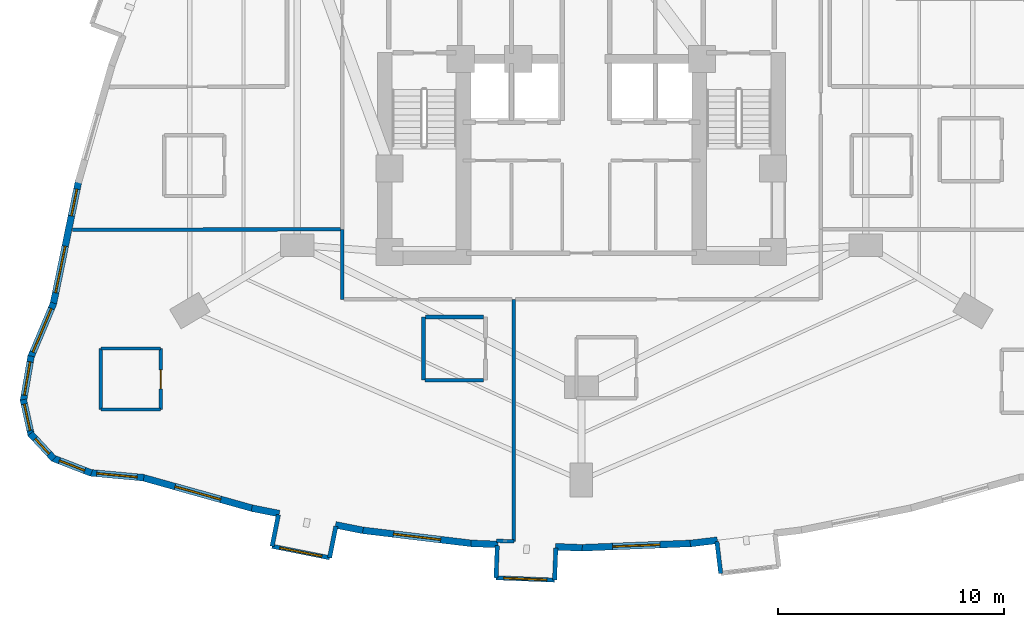
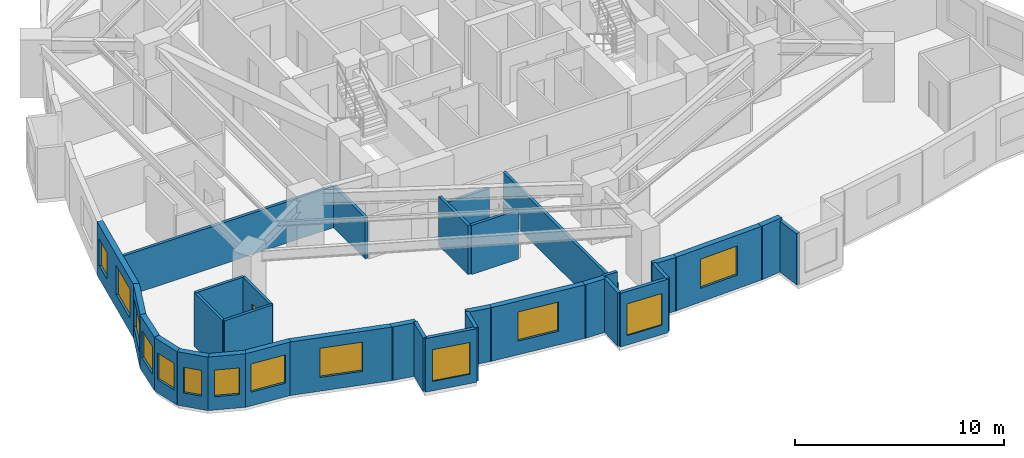
# One storey, part 6 of 13: 33 walls, 13 windows, 1 door, 14 openings.
"""IFC4 building model written with IfcOpenShell, lengths in metres."""

import ifcopenshell
import ifcopenshell.guid

model = None  # the IFC model being written
_history = None  # IfcOwnerHistory: only IFC2X3 demands one
_inside = {}  # id of a spatial element -> (the spatial element, [elements in it])
_under = {}  # id of a project, library or spatial element -> (it, [spatial elements below it])
_declared = {}  # id of a project -> (the project, [libraries it declares])
_typed = {}  # id of a type object -> (the type object, [elements of that type])
_made_of = {}  # id of a material, layer set ... -> (it, [elements and type objects made of it])


def new_model(schema):
    """Start an empty IFC model of exactly this schema.

    Asked for "IFC4X3", IfcOpenShell would pick the latest addendum, in which some entities
    have other attributes; the version numbers below select the first issue.
    IFC2X3 requires an IfcOwnerHistory on every rooted entity: one is made here for all.
    """
    global model, _history
    if schema == "IFC4X3":
        model = ifcopenshell.file(schema_version=(4, 3, 0, 0))
    else:
        model = ifcopenshell.file(schema=schema)
    _inside.clear()
    _under.clear()
    _declared.clear()
    _typed.clear()
    _made_of.clear()
    _history = None
    if model.schema == "IFC2X3":
        org = make("IfcOrganization", Name="unknown")
        user = make(
            "IfcPersonAndOrganization",
            ThePerson=make("IfcPerson", FamilyName="unknown"),
            TheOrganization=org,
        )
        app = make(
            "IfcApplication",
            ApplicationDeveloper=org,
            Version="unknown",
            ApplicationFullName="unknown",
            ApplicationIdentifier="unknown",
        )
        _history = make(
            "IfcOwnerHistory",
            OwningUser=user,
            OwningApplication=app,
            ChangeAction="ADDED",
            CreationDate=0,
        )
    return model


def make(cls, **values):
    """One entity of the class cls with the attributes given. An attribute that is None is left unset."""
    return model.create_entity(
        cls, **{name: value for name, value in values.items() if value is not None}
    )


def rooted(cls, **values):
    """An entity with a GlobalId (a new one), such as an element, a storey or a relation."""
    return make(cls, GlobalId=ifcopenshell.guid.new(), OwnerHistory=_history, **values)


def si_unit(unit_type, name, prefix=None):
    """IfcSIUnit, for example si_unit("LENGTHUNIT", "METRE", prefix="MILLI")."""
    return make("IfcSIUnit", UnitType=unit_type, Prefix=prefix, Name=name)


def assignment(units):
    """IfcUnitAssignment: the units of a project."""
    return None if units is None else make("IfcUnitAssignment", Units=units)


def point(xyz):
    """IfcCartesianPoint."""
    return None if xyz is None else make("IfcCartesianPoint", Coordinates=xyz)


def direction(xyz):
    """IfcDirection."""
    return None if xyz is None else make("IfcDirection", DirectionRatios=xyz)


def frame(location, z_axis=None, x_axis=None):
    """IfcAxis2Placement3D, a coordinate frame: its origin and axes. An axis left out is left unset."""
    return make(
        "IfcAxis2Placement3D",
        Location=point(location),
        Axis=direction(z_axis),
        RefDirection=direction(x_axis),
    )


def frame_2d(location, x_axis=None):
    """IfcAxis2Placement2D, a coordinate frame in the plane: its origin and x axis."""
    return make(
        "IfcAxis2Placement2D", Location=point(location), RefDirection=direction(x_axis)
    )


def origin():
    """The frame at (0, 0, 0) with its axes left unset."""
    return frame((0.0, 0.0, 0.0))


def place(relative_to, where):
    """IfcLocalPlacement: puts the frame where relative to a parent placement (None: the world)."""
    return make(
        "IfcLocalPlacement", PlacementRelTo=relative_to, RelativePlacement=where
    )


def context(
    kind, dimensions, precision=None, world=None, true_north=None, identifier=None
):
    """IfcGeometricRepresentationContext, for example the 3D "Model" context."""
    return make(
        "IfcGeometricRepresentationContext",
        ContextIdentifier=identifier,
        ContextType=kind,
        CoordinateSpaceDimension=dimensions,
        Precision=precision,
        WorldCoordinateSystem=world,
        TrueNorth=true_north,
    )


def subcontext(parent, identifier, kind, view, scale=None):
    """IfcGeometricRepresentationSubContext, for example "Body" below "Model"."""
    return make(
        "IfcGeometricRepresentationSubContext",
        ContextIdentifier=identifier,
        ContextType=kind,
        ParentContext=parent,
        TargetScale=scale,
        TargetView=view,
    )


def project(units=None, contexts=None):
    """IfcProject with its units and contexts."""
    return rooted(
        "IfcProject",
        Name="project",
        RepresentationContexts=contexts,
        UnitsInContext=assignment(units),
    )


def spatial(cls, under=None, at=None, **own):
    """A site, building, storey or space (cls), placed at a placement, below another one or the project."""
    s = rooted(cls, ObjectPlacement=at, **own)
    if under is not None:
        _under.setdefault(under.id(), (under, []))[1].append(s)
    return s


def profile(cls, at=None, kind="AREA", **sizes):
    """A parametric profile (cls). Its sizes go by their IFC names, for example OverallWidth=200.0."""
    return make(cls, ProfileType=kind, Position=at, **sizes)


def rectangle(**sizes):
    """IfcRectangleProfileDef."""
    return profile("IfcRectangleProfileDef", **sizes)


def extrude(swept, where, along, depth):
    """IfcExtrudedAreaSolid: the profile swept, set in the frame where, extruded along a direction by depth."""
    return make(
        "IfcExtrudedAreaSolid",
        SweptArea=swept,
        Position=where,
        ExtrudedDirection=direction(along),
        Depth=depth,
    )


def shape(context_of_items, identifier, shape_type, items):
    """IfcShapeRepresentation: the items that make up one representation, for example the "Body"."""
    return make(
        "IfcShapeRepresentation",
        ContextOfItems=context_of_items,
        RepresentationIdentifier=identifier,
        RepresentationType=shape_type,
        Items=items,
    )


def material(Name=None, Category=None):
    """IfcMaterial."""
    return make("IfcMaterial", Name=Name, Category=Category)


def layer(
    of_material, thickness, ventilated=None, Name=None, Category=None, Priority=None
):
    """IfcMaterialLayer: one layer of a wall or slab, of a material (None: an air gap)."""
    return make(
        "IfcMaterialLayer",
        Material=of_material,
        LayerThickness=thickness,
        IsVentilated=ventilated,
        Name=Name,
        Category=Category,
        Priority=Priority,
    )


def layer_set(layers, Name=None):
    """IfcMaterialLayerSet."""
    return make("IfcMaterialLayerSet", MaterialLayers=layers, LayerSetName=Name)


def made_of(thing, what):
    """Note that an element or type object is made of a material, layer set ...; save() writes the relation."""
    if what is not None:
        _made_of.setdefault(what.id(), (what, []))[1].append(thing)
    return thing


def type_object(cls, material=None, **own):
    """A type object (cls), such as IfcWallType, which elements share."""
    return made_of(rooted(cls, **own), material)


def element(
    cls,
    number,
    at=None,
    inside=None,
    cuts=None,
    type_object=None,
    material=None,
    context=None,
    identifier="Body",
    shape_type=None,
    held_by="IfcProductDefinitionShape",
    body=None,
    shapes=None,
    **own,
):
    """One element of the class cls, such as IfcWall. Its Tag is "e" and its number.

    at: its placement. inside: the storey or other place that contains it. cuts: it is an
    opening in that element (IfcRelVoidsElement). A single representation is given by context,
    identifier, shape_type and body (its items); several are given by shapes. held_by: the class
    of the entity that holds the representations. save() writes the other relations.
    """
    e = rooted(cls, Tag="e%d" % number, ObjectPlacement=at, **own)
    if body is not None:
        shapes = [shape(context, identifier, shape_type, body)]
    if shapes is not None:
        e.Representation = make(held_by, Representations=shapes)
    if inside is not None:
        _inside.setdefault(inside.id(), (inside, []))[1].append(e)
    if cuts is not None:
        rooted(
            "IfcRelVoidsElement", RelatingBuildingElement=cuts, RelatedOpeningElement=e
        )
    if type_object is not None:
        _typed.setdefault(type_object.id(), (type_object, []))[1].append(e)
    return made_of(e, material)


def fill(opening, filler):
    """IfcRelFillsElement: the door or window that sits in an opening."""
    return rooted(
        "IfcRelFillsElement",
        RelatingOpeningElement=opening,
        RelatedBuildingElement=filler,
    )


def aggregate(whole, parts):
    """IfcRelAggregates: a whole, such as a stair, and the parts it consists of."""
    return rooted("IfcRelAggregates", RelatingObject=whole, RelatedObjects=parts)


def save(model, path):
    """Write the relations noted so far, then the file.

    IfcRelAggregates (storeys below a building ...), IfcRelContainedInSpatialStructure (elements
    in a storey), IfcRelDefinesByType, IfcRelAssociatesMaterial and IfcRelDeclares: one each for
    every whole, place, type object, material and project.
    """
    for whole, parts in _under.values():
        aggregate(whole, parts)
    for where, things in _inside.values():
        rooted(
            "IfcRelContainedInSpatialStructure",
            RelatedElements=things,
            RelatingStructure=where,
        )
    for kind, things in _typed.values():
        rooted("IfcRelDefinesByType", RelatedObjects=things, RelatingType=kind)
    for what, things in _made_of.values():
        rooted("IfcRelAssociatesMaterial", RelatedObjects=things, RelatingMaterial=what)
    for by, libraries in _declared.values():
        rooted("IfcRelDeclares", RelatingContext=by, RelatedDefinitions=libraries)
    model.write(path)


model = new_model("IFC4")

# Units and contexts
model_context = context("Model", 3, precision=1e-05, world=origin(), true_north=direction((0.0, 1.0)))
body_context = subcontext(model_context, "Body", "Model", "MODEL_VIEW")
ifc_project = project(units=[si_unit("LENGTHUNIT", "METRE"), si_unit("AREAUNIT", "SQUARE_METRE"), si_unit("VOLUMEUNIT", "CUBIC_METRE"), si_unit("PLANEANGLEUNIT", "RADIAN"), si_unit("MASSUNIT", "GRAM", prefix="KILO")], contexts=[model_context])

# Site, building, storey
site_placement = place(None, origin())
site = spatial("IfcSite", under=ifc_project, at=site_placement, CompositionType="ELEMENT")
building_placement = place(site_placement, origin())
building = spatial("IfcBuilding", under=site, at=building_placement, Name="Miruveldt Soraemaru", CompositionType="ELEMENT")
storey_placement = place(building_placement, frame((0.0, 0.0, 49.60009765625)))
storey = spatial("IfcBuildingStorey", under=building, at=storey_placement, Name="L13", CompositionType="ELEMENT", Elevation=49.60009765625)

# Walls
ifc_material_1 = material(Name="White powder-coated aluminium EN AW-6060 T6", Category="aluminium")
ifc_layer_1 = layer(ifc_material_1, 0.18994140625, Name="White powder-coated aluminium EN AW-6060 T6", Category="aluminium")
ifc_layer_set_1 = layer_set([ifc_layer_1], Name="White powder-coated aluminium EN AW-6060 T6")
wall_type_1 = type_object("IfcWallType", Name="WALL-BAY-ALU190", PredefinedType="SOLIDWALL", material=ifc_layer_set_1)
wall_1_placement = place(storey_placement, frame((30.56689453125, 23.84814453125, 0.0), z_axis=(0.0, 0.0, 1.0), x_axis=(-0.196149079112, -0.980574086321, 0.0)))
element("IfcWall", 1, at=wall_1_placement, inside=storey, type_object=wall_type_1, Name="L13 Bay Window Side Cheek 2L", PredefinedType="SOLIDWALL", context=body_context, shape_type="SweptSolid", body=[
    extrude(rectangle(XDim=1.425048828125, YDim=0.18994140625, at=frame_2d((0.71240234375, 0.0))), origin(), (0.0, 0.0, 1.0), 3.125),
])
wall_2_placement = place(storey_placement, frame((32.8369140625, 21.94091796875, 0.0), z_axis=(0.0, 0.0, 1.0), x_axis=(0.196182033934, 0.980567493629, 0.0)))
element("IfcWall", 2, at=wall_2_placement, inside=storey, type_object=wall_type_1, Name="L13 Bay Window Side Cheek 2R", PredefinedType="SOLIDWALL", context=body_context, shape_type="SweptSolid", body=[
    extrude(rectangle(XDim=1.4248046875, YDim=0.18994140625, at=frame_2d((0.71240234375, 0.0))), origin(), (0.0, 0.0, 1.0), 3.125),
])

# Wall, opening, window
wall_3_placement = place(storey_placement, frame((30.287353515625, 22.45068359375, 0.0), z_axis=(0.0, 0.0, 1.0), x_axis=(0.980591508741, -0.196061962104, 0.0)))
wall_3 = element("IfcWall", 3, at=wall_3_placement, inside=storey, type_object=wall_type_1, Name="L13 Bay Window Front Frame 2", PredefinedType="SOLIDWALL", context=body_context, shape_type="SweptSolid", body=[
    extrude(rectangle(XDim=2.60009765625, YDim=0.18994140625, at=frame_2d((1.300048828125, 0.0))), origin(), (0.0, 0.0, 1.0), 3.125),
])
opening_1_placement = place(wall_3_placement, frame((0.35009765625, 0.0, 0.550048828125)))
opening_1 = element("IfcOpeningElement", 4, at=opening_1_placement, cuts=wall_3, Name="Opening WN-6", PredefinedType="OPENING", context=body_context, shape_type="SweptSolid", body=[
    extrude(rectangle(XDim=1.89990234375, YDim=1.85009765625, at=frame_2d((0.949951171875, 0.925048828125))), frame((0.0, 0.10498046875, 0.0), z_axis=(0.0, -1.0, 0.0), x_axis=(1.0, 0.0, 0.0)), (0.0, 0.0, 1.0), 0.2099609375),
])
ifc_material_2 = material(Name="Triple low-e insulated glazing", Category="glass")
window_type_1 = type_object("IfcWindowType", Name="WIN-BAYW-1900x1850", PartitioningType="SINGLE_PANEL", PredefinedType="WINDOW", material=ifc_material_2)
window_1_placement = place(opening_1_placement, origin())
window_1 = element("IfcWindow", 5, at=window_1_placement, inside=storey, type_object=window_type_1, Name="L13 Projecting Bay Window 2", OverallHeight=1.85009765625, OverallWidth=1.89990234375, PartitioningType="SINGLE_PANEL", PredefinedType="WINDOW", context=body_context, shape_type="SweptSolid", body=[
    extrude(rectangle(XDim=1.89990234375, YDim=1.85009765625, at=frame_2d((0.949951171875, 0.925048828125))), frame((0.0, 0.030029296875, 0.0), z_axis=(0.0, -1.0, 0.0), x_axis=(1.0, 0.0, 0.0)), (0.0, 0.0, 1.0), 0.06005859375),
])
fill(opening_1, window_1)

# Walls
for number, where, z_axis, x_axis, name in (
    (6, (40.269287109375, 22.477783203125, 0.0), (0.0, 0.0, 1.0), (-0.039926977512, -0.99920260031, 0.0), "L13 Bay Window Side Cheek 3L"),
    (7, (42.810302734375, 20.9501953125, 0.0), (0.0, 0.0, 1.0), (0.039926977512, 0.99920260031, 0.0), "L13 Bay Window Side Cheek 3R"),
):
    element("IfcWall", number, at=place(storey_placement, frame(where, z_axis=z_axis, x_axis=x_axis)), inside=storey, type_object=wall_type_1, Name=name, PredefinedType="SOLIDWALL", context=body_context, shape_type="SweptSolid", body=[
        extrude(rectangle(XDim=1.4248046875, YDim=0.18994140625, at=frame_2d((0.71240234375, 0.0))), origin(), (0.0, 0.0, 1.0), 3.125),
    ])

# Wall, opening, window
wall_4_placement = place(storey_placement, frame((40.21240234375, 21.05419921875, 0.0), z_axis=(0.0, 0.0, 1.0), x_axis=(0.999199608139, -0.040001788654, 0.0)))
wall_4 = element("IfcWall", 8, at=wall_4_placement, inside=storey, type_object=wall_type_1, Name="L13 Bay Window Front Frame 3", PredefinedType="SOLIDWALL", context=body_context, shape_type="SweptSolid", body=[
    extrude(rectangle(XDim=2.60009765625, YDim=0.18994140625, at=frame_2d((1.300048828125, 0.0))), origin(), (0.0, 0.0, 1.0), 3.125),
])
opening_2_placement = place(wall_4_placement, frame((0.35009765625, 0.0, 0.550048828125)))
opening_2 = element("IfcOpeningElement", 9, at=opening_2_placement, cuts=wall_4, Name="Opening WN-6", PredefinedType="OPENING", context=body_context, shape_type="SweptSolid", body=[
    extrude(rectangle(XDim=1.89990234375, YDim=1.85009765625, at=frame_2d((0.949951171875, 0.925048828125))), frame((0.0, 0.10498046875, 0.0), z_axis=(0.0, -1.0, 0.0), x_axis=(1.0, 0.0, 0.0)), (0.0, 0.0, 1.0), 0.2099609375),
])
window_2_placement = place(opening_2_placement, origin())
window_2 = element("IfcWindow", 10, at=window_2_placement, inside=storey, type_object=window_type_1, Name="L13 Projecting Bay Window 3", OverallHeight=1.85009765625, OverallWidth=1.89990234375, PartitioningType="SINGLE_PANEL", PredefinedType="WINDOW", context=body_context, shape_type="SweptSolid", body=[
    extrude(rectangle(XDim=1.89990234375, YDim=1.85009765625, at=frame_2d((0.949951171875, 0.925048828125))), frame((0.0, 0.030029296875, 0.0), z_axis=(0.0, -1.0, 0.0), x_axis=(1.0, 0.0, 0.0)), (0.0, 0.0, 1.0), 0.06005859375),
])
fill(opening_2, window_2)

# Wall
wall_5_placement = place(storey_placement, frame((50.00439453125, 22.66015625, 0.0), z_axis=(0.0, 0.0, 1.0), x_axis=(0.119077659317, -0.992884943511, 0.0)))
element("IfcWall", 11, at=wall_5_placement, inside=storey, type_object=wall_type_1, Name="L13 Bay Window Side Cheek 4L", PredefinedType="SOLIDWALL", context=body_context, shape_type="SweptSolid", body=[
    extrude(rectangle(XDim=1.425048828125, YDim=0.18994140625, at=frame_2d((0.71240234375, 0.0))), origin(), (0.0, 0.0, 1.0), 2.974853515625),
])

# Wall, openings, windows
ifc_material_3 = material(Name="Precast concrete C45/55 (45 MPa)", Category="concrete")
ifc_layer_2 = layer(ifc_material_3, 0.300048828125, Name="Precast concrete C45/55 (45 MPa)", Category="concrete")
ifc_layer_set_2 = layer_set([ifc_layer_2], Name="Precast concrete C45/55 (45 MPa)")
wall_type_2 = type_object("IfcWallType", Name="WALL-EXT-PC300", PredefinedType="SOLIDWALL", material=ifc_layer_set_2)
wall_6_placement = place(storey_placement, frame((21.70751953125, 38.628662109375, 0.0), z_axis=(0.0, 0.0, 1.0), x_axis=(-0.20157756221, -0.979472555212, 0.0)))
wall_6 = element("IfcWall", 12, at=wall_6_placement, inside=storey, type_object=wall_type_2, Name="L13 Precast Concrete Facade Wall 14", PredefinedType="SOLIDWALL", context=body_context, shape_type="SweptSolid", body=[
    extrude(rectangle(XDim=5.576171875, YDim=0.300048828125, at=frame_2d((2.7880859375, 0.0))), origin(), (0.0, 0.0, 1.0), 3.125),
])
opening_3_placement = place(wall_6_placement, frame((0.35888671875, 0.0, 0.780029296875)))
opening_3 = element("IfcOpeningElement", 13, at=opening_3_placement, cuts=wall_6, Name="Opening WN-4", PredefinedType="OPENING", context=body_context, shape_type="SweptSolid", body=[
    extrude(rectangle(XDim=1.199951171875, YDim=1.550048828125, at=frame_2d((0.60009765625, 0.77490234375))), frame((0.0, 0.16015625, 0.0), z_axis=(0.0, -1.0, 0.0), x_axis=(1.0, 0.0, 0.0)), (0.0, 0.0, 1.0), 0.320068359375),
])
opening_4_placement = place(wall_6_placement, frame((2.93603515625, 0.0, 0.800048828125)))
opening_4 = element("IfcOpeningElement", 14, at=opening_4_placement, cuts=wall_6, Name="Opening WN-1", PredefinedType="OPENING", context=body_context, shape_type="SweptSolid", body=[
    extrude(rectangle(XDim=2.10009765625, YDim=1.699951171875, at=frame_2d((1.050048828125, 0.85009765625))), frame((0.0, 0.16015625, 0.0), z_axis=(0.0, -1.0, 0.0), x_axis=(1.0, 0.0, 0.0)), (0.0, 0.0, 1.0), 0.320068359375),
])
window_type_2 = type_object("IfcWindowType", Name="WIN-PUNCH-1200x1550", PartitioningType="SINGLE_PANEL", PredefinedType="WINDOW", material=ifc_material_2)
window_3_placement = place(opening_3_placement, origin())
window_3 = element("IfcWindow", 15, at=window_3_placement, inside=storey, type_object=window_type_2, Name="L13 Punched Triple-Glazed Window 14.1", OverallHeight=1.550048828125, OverallWidth=1.199951171875, PartitioningType="SINGLE_PANEL", PredefinedType="WINDOW", context=body_context, shape_type="SweptSolid", body=[
    extrude(rectangle(XDim=1.199951171875, YDim=1.550048828125, at=frame_2d((0.60009765625, 0.77490234375))), frame((0.0, 0.030029296875, 0.0), z_axis=(0.0, -1.0, 0.0), x_axis=(1.0, 0.0, 0.0)), (0.0, 0.0, 1.0), 0.06005859375),
])
fill(opening_3, window_3)
window_type_3 = type_object("IfcWindowType", Name="WIN-PUNCH-2100x1700", PartitioningType="SINGLE_PANEL", PredefinedType="WINDOW", material=ifc_material_2)
window_4_placement = place(opening_4_placement, origin())
window_4 = element("IfcWindow", 16, at=window_4_placement, inside=storey, type_object=window_type_3, Name="L13 Punched Triple-Glazed Window 14.2", OverallHeight=1.699951171875, OverallWidth=2.10009765625, PartitioningType="SINGLE_PANEL", PredefinedType="WINDOW", context=body_context, shape_type="SweptSolid", body=[
    extrude(rectangle(XDim=2.10009765625, YDim=1.699951171875, at=frame_2d((1.050048828125, 0.85009765625))), frame((0.0, 0.030029296875, 0.0), z_axis=(0.0, -1.0, 0.0), x_axis=(1.0, 0.0, 0.0)), (0.0, 0.0, 1.0), 0.06005859375),
])
fill(opening_4, window_4)

# Wall, opening, window
wall_7_placement = place(storey_placement, frame((20.604248046875, 33.2333984375, 0.0), z_axis=(0.0, 0.0, 1.0), x_axis=(-0.388605550907, -0.921404214123, 0.0)))
wall_7 = element("IfcWall", 17, at=wall_7_placement, inside=storey, type_object=wall_type_2, Name="L13 Precast Concrete Facade Wall 15", PredefinedType="SOLIDWALL", context=body_context, shape_type="SweptSolid", body=[
    extrude(rectangle(XDim=2.6259765625, YDim=0.300048828125, at=frame_2d((1.31298828125, 0.0))), origin(), (0.0, 0.0, 1.0), 3.125),
])
opening_5_placement = place(wall_7_placement, frame((0.262939453125, 0.0, 0.800048828125)))
opening_5 = element("IfcOpeningElement", 18, at=opening_5_placement, cuts=wall_7, Name="Opening WN-1", PredefinedType="OPENING", context=body_context, shape_type="SweptSolid", body=[
    extrude(rectangle(XDim=2.10009765625, YDim=1.699951171875, at=frame_2d((1.050048828125, 0.85009765625))), frame((0.0, 0.16015625, 0.0), z_axis=(0.0, -1.0, 0.0), x_axis=(1.0, 0.0, 0.0)), (0.0, 0.0, 1.0), 0.320068359375),
])
window_5_placement = place(opening_5_placement, origin())
window_5 = element("IfcWindow", 19, at=window_5_placement, inside=storey, type_object=window_type_3, Name="L13 Punched Triple-Glazed Window 15.1", OverallHeight=1.699951171875, OverallWidth=2.10009765625, PartitioningType="SINGLE_PANEL", PredefinedType="WINDOW", context=body_context, shape_type="SweptSolid", body=[
    extrude(rectangle(XDim=2.10009765625, YDim=1.699951171875, at=frame_2d((1.050048828125, 0.85009765625))), frame((0.0, 0.030029296875, 0.0), z_axis=(0.0, -1.0, 0.0), x_axis=(1.0, 0.0, 0.0)), (0.0, 0.0, 1.0), 0.06005859375),
])
fill(opening_5, window_5)

wall_8_placement = place(storey_placement, frame((19.603271484375, 30.880615234375, 0.0), z_axis=(0.0, 0.0, 1.0), x_axis=(-0.169361944639, -0.985553921259, 0.0)))
wall_8 = element("IfcWall", 20, at=wall_8_placement, inside=storey, type_object=wall_type_2, Name="L13 Precast Concrete Facade Wall 16", PredefinedType="SOLIDWALL", context=body_context, shape_type="SweptSolid", body=[
    extrude(rectangle(XDim=2.025390625, YDim=0.300048828125, at=frame_2d((1.0126953125, 0.0))), origin(), (0.0, 0.0, 1.0), 3.125),
])
opening_6_placement = place(wall_8_placement, frame((0.261962890625, 0.0, 0.800048828125)))
opening_6 = element("IfcOpeningElement", 21, at=opening_6_placement, cuts=wall_8, Name="Opening WN-3", PredefinedType="OPENING", context=body_context, shape_type="SweptSolid", body=[
    extrude(rectangle(XDim=1.5, YDim=1.60009765625, at=frame_2d((0.75, 0.800048828125))), frame((0.0, 0.16015625, 0.0), z_axis=(0.0, -1.0, 0.0), x_axis=(1.0, 0.0, 0.0)), (0.0, 0.0, 1.0), 0.320068359375),
])
window_type_4 = type_object("IfcWindowType", Name="WIN-PUNCH-1500x1600", PartitioningType="SINGLE_PANEL", PredefinedType="WINDOW", material=ifc_material_2)
window_6_placement = place(opening_6_placement, origin())
window_6 = element("IfcWindow", 22, at=window_6_placement, inside=storey, type_object=window_type_4, Name="L13 Punched Triple-Glazed Window 16.1", OverallHeight=1.60009765625, OverallWidth=1.5, PartitioningType="SINGLE_PANEL", PredefinedType="WINDOW", context=body_context, shape_type="SweptSolid", body=[
    extrude(rectangle(XDim=1.5, YDim=1.60009765625, at=frame_2d((0.75, 0.800048828125))), frame((0.0, 0.030029296875, 0.0), z_axis=(0.0, -1.0, 0.0), x_axis=(1.0, 0.0, 0.0)), (0.0, 0.0, 1.0), 0.06005859375),
])
fill(opening_6, window_6)

wall_9_placement = place(storey_placement, frame((19.258544921875, 28.953369140625, 0.0), z_axis=(0.0, 0.0, 1.0), x_axis=(0.215851203475, -0.976426268573, 0.0)))
wall_9 = element("IfcWall", 23, at=wall_9_placement, inside=storey, type_object=wall_type_2, Name="L13 Precast Concrete Facade Wall 17", PredefinedType="SOLIDWALL", context=body_context, shape_type="SweptSolid", body=[
    extrude(rectangle(XDim=1.60498046875, YDim=0.300048828125, at=frame_2d((0.802490234375, 0.0))), origin(), (0.0, 0.0, 1.0), 3.125),
])
opening_7_placement = place(wall_9_placement, frame((0.202880859375, 0.0, 0.780029296875)))
opening_7 = element("IfcOpeningElement", 24, at=opening_7_placement, cuts=wall_9, Name="Opening WN-4", PredefinedType="OPENING", context=body_context, shape_type="SweptSolid", body=[
    extrude(rectangle(XDim=1.199951171875, YDim=1.550048828125, at=frame_2d((0.60009765625, 0.77490234375))), frame((0.0, 0.16015625, 0.0), z_axis=(0.0, -1.0, 0.0), x_axis=(1.0, 0.0, 0.0)), (0.0, 0.0, 1.0), 0.320068359375),
])
window_7_placement = place(opening_7_placement, origin())
window_7 = element("IfcWindow", 25, at=window_7_placement, inside=storey, type_object=window_type_2, Name="L13 Punched Triple-Glazed Window 17.1", OverallHeight=1.550048828125, OverallWidth=1.199951171875, PartitioningType="SINGLE_PANEL", PredefinedType="WINDOW", context=body_context, shape_type="SweptSolid", body=[
    extrude(rectangle(XDim=1.199951171875, YDim=1.550048828125, at=frame_2d((0.60009765625, 0.77490234375))), frame((0.0, 0.030029296875, 0.0), z_axis=(0.0, -1.0, 0.0), x_axis=(1.0, 0.0, 0.0)), (0.0, 0.0, 1.0), 0.06005859375),
])
fill(opening_7, window_7)

wall_10_placement = place(storey_placement, frame((19.573486328125, 27.446044921875, 0.0), z_axis=(0.0, 0.0, 1.0), x_axis=(0.680212432131, -0.733015038846, 0.0)))
wall_10 = element("IfcWall", 26, at=wall_10_placement, inside=storey, type_object=wall_type_2, Name="L13 Precast Concrete Facade Wall 18", PredefinedType="SOLIDWALL", context=body_context, shape_type="SweptSolid", body=[
    extrude(rectangle(XDim=1.530517578125, YDim=0.300048828125, at=frame_2d((0.76513671875, 0.0))), origin(), (0.0, 0.0, 1.0), 3.125),
])
opening_8_placement = place(wall_10_placement, frame((0.31494140625, 0.0, 0.780029296875)))
opening_8 = element("IfcOpeningElement", 27, at=opening_8_placement, cuts=wall_10, Name="Opening WN-7", PredefinedType="OPENING", context=body_context, shape_type="SweptSolid", body=[
    extrude(rectangle(XDim=0.89990234375, YDim=1.5, at=frame_2d((0.449951171875, 0.75))), frame((0.0, 0.16015625, 0.0), z_axis=(0.0, -1.0, 0.0), x_axis=(1.0, 0.0, 0.0)), (0.0, 0.0, 1.0), 0.320068359375),
])
window_type_5 = type_object("IfcWindowType", Name="WIN-PUNCH-900x1500", PartitioningType="SINGLE_PANEL", PredefinedType="WINDOW", material=ifc_material_2)
window_8_placement = place(opening_8_placement, origin())
window_8 = element("IfcWindow", 28, at=window_8_placement, inside=storey, type_object=window_type_5, Name="L13 Punched Triple-Glazed Window 18.1", OverallHeight=1.5, OverallWidth=0.89990234375, PartitioningType="SINGLE_PANEL", PredefinedType="WINDOW", context=body_context, shape_type="SweptSolid", body=[
    extrude(rectangle(XDim=0.89990234375, YDim=1.5, at=frame_2d((0.449951171875, 0.75))), frame((0.0, 0.030029296875, 0.0), z_axis=(0.0, -1.0, 0.0), x_axis=(1.0, 0.0, 0.0)), (0.0, 0.0, 1.0), 0.06005859375),
])
fill(opening_8, window_8)

wall_11_placement = place(storey_placement, frame((20.55810546875, 26.362548828125, 0.0), z_axis=(0.0, 0.0, 1.0), x_axis=(0.93226755556, -0.361769546603, 0.0)))
wall_11 = element("IfcWall", 29, at=wall_11_placement, inside=storey, type_object=wall_type_2, Name="L13 Precast Concrete Facade Wall 19", PredefinedType="SOLIDWALL", context=body_context, shape_type="SweptSolid", body=[
    extrude(rectangle(XDim=1.845703125, YDim=0.300048828125, at=frame_2d((0.9228515625, 0.0))), origin(), (0.0, 0.0, 1.0), 3.125),
])
opening_9_placement = place(wall_11_placement, frame((0.322998046875, 0.0, 0.780029296875)))
opening_9 = element("IfcOpeningElement", 30, at=opening_9_placement, cuts=wall_11, Name="Opening WN-4", PredefinedType="OPENING", context=body_context, shape_type="SweptSolid", body=[
    extrude(rectangle(XDim=1.199951171875, YDim=1.550048828125, at=frame_2d((0.60009765625, 0.77490234375))), frame((0.0, 0.16015625, 0.0), z_axis=(0.0, -1.0, 0.0), x_axis=(1.0, 0.0, 0.0)), (0.0, 0.0, 1.0), 0.320068359375),
])
window_9_placement = place(opening_9_placement, origin())
window_9 = element("IfcWindow", 31, at=window_9_placement, inside=storey, type_object=window_type_2, Name="L13 Punched Triple-Glazed Window 19.1", OverallHeight=1.550048828125, OverallWidth=1.199951171875, PartitioningType="SINGLE_PANEL", PredefinedType="WINDOW", context=body_context, shape_type="SweptSolid", body=[
    extrude(rectangle(XDim=1.199951171875, YDim=1.550048828125, at=frame_2d((0.60009765625, 0.77490234375))), frame((0.0, 0.030029296875, 0.0), z_axis=(0.0, -1.0, 0.0), x_axis=(1.0, 0.0, 0.0)), (0.0, 0.0, 1.0), 0.06005859375),
])
fill(opening_9, window_9)

wall_12_placement = place(storey_placement, frame((22.211181640625, 25.710693359375, 0.0), z_axis=(0.0, 0.0, 1.0), x_axis=(0.995763667414, -0.091949544092, 0.0)))
wall_12 = element("IfcWall", 32, at=wall_12_placement, inside=storey, type_object=wall_type_2, Name="L13 Precast Concrete Facade Wall 20", PredefinedType="SOLIDWALL", context=body_context, shape_type="SweptSolid", body=[
    extrude(rectangle(XDim=2.397705078125, YDim=0.300048828125, at=frame_2d((1.19873046875, 0.0))), origin(), (0.0, 0.0, 1.0), 3.125),
])
opening_10_placement = place(wall_12_placement, frame((0.299072265625, 0.0, 0.800048828125)))
opening_10 = element("IfcOpeningElement", 33, at=opening_10_placement, cuts=wall_12, Name="Opening WN-2", PredefinedType="OPENING", context=body_context, shape_type="SweptSolid", body=[
    extrude(rectangle(XDim=1.800048828125, YDim=1.64990234375, at=frame_2d((0.89990234375, 0.824951171875))), frame((0.0, 0.16015625, 0.0), z_axis=(0.0, -1.0, 0.0), x_axis=(1.0, 0.0, 0.0)), (0.0, 0.0, 1.0), 0.320068359375),
])
window_type_6 = type_object("IfcWindowType", Name="WIN-PUNCH-1800x1650", PartitioningType="SINGLE_PANEL", PredefinedType="WINDOW", material=ifc_material_2)
window_10_placement = place(opening_10_placement, origin())
window_10 = element("IfcWindow", 34, at=window_10_placement, inside=storey, type_object=window_type_6, Name="L13 Punched Triple-Glazed Window 20.1", OverallHeight=1.64990234375, OverallWidth=1.800048828125, PartitioningType="SINGLE_PANEL", PredefinedType="WINDOW", context=body_context, shape_type="SweptSolid", body=[
    extrude(rectangle(XDim=1.800048828125, YDim=1.64990234375, at=frame_2d((0.89990234375, 0.824951171875))), frame((0.0, 0.030029296875, 0.0), z_axis=(0.0, -1.0, 0.0), x_axis=(1.0, 0.0, 0.0)), (0.0, 0.0, 1.0), 0.06005859375),
])
fill(opening_10, window_10)

wall_13_placement = place(storey_placement, frame((24.530029296875, 25.5029296875, 0.0), z_axis=(0.0, 0.0, 1.0), x_axis=(0.962965506561, -0.269624615297, 0.0)))
wall_13 = element("IfcWall", 35, at=wall_13_placement, inside=storey, type_object=wall_type_2, Name="L13 Precast Concrete Facade Wall 21", PredefinedType="SOLIDWALL", context=body_context, shape_type="SweptSolid", body=[
    extrude(rectangle(XDim=5.115966796875, YDim=0.300048828125, at=frame_2d((2.55810546875, 0.0))), origin(), (0.0, 0.0, 1.0), 3.125),
])
opening_11_placement = place(wall_13_placement, frame((1.508056640625, 0.0, 0.800048828125)))
opening_11 = element("IfcOpeningElement", 36, at=opening_11_placement, cuts=wall_13, Name="Opening WN-1", PredefinedType="OPENING", context=body_context, shape_type="SweptSolid", body=[
    extrude(rectangle(XDim=2.10009765625, YDim=1.699951171875, at=frame_2d((1.050048828125, 0.85009765625))), frame((0.0, 0.16015625, 0.0), z_axis=(0.0, -1.0, 0.0), x_axis=(1.0, 0.0, 0.0)), (0.0, 0.0, 1.0), 0.320068359375),
])
window_11_placement = place(opening_11_placement, origin())
window_11 = element("IfcWindow", 37, at=window_11_placement, inside=storey, type_object=window_type_3, Name="L13 Punched Triple-Glazed Window 21.1", OverallHeight=1.699951171875, OverallWidth=2.10009765625, PartitioningType="SINGLE_PANEL", PredefinedType="WINDOW", context=body_context, shape_type="SweptSolid", body=[
    extrude(rectangle(XDim=2.10009765625, YDim=1.699951171875, at=frame_2d((1.050048828125, 0.85009765625))), frame((0.0, 0.030029296875, 0.0), z_axis=(0.0, -1.0, 0.0), x_axis=(1.0, 0.0, 0.0)), (0.0, 0.0, 1.0), 0.06005859375),
])
fill(opening_11, window_11)

# Walls
for number, where, z_axis, x_axis, name in (
    (38, (29.388671875, 24.139892578125, 0.0), (0.0, 0.0, 1.0), (0.980580675691, -0.196116135138, 0.0), "L13 Precast Pier Wall 22A"),
    (39, (33.097900390625, 23.39794921875, 0.0), (0.0, 0.0, 1.0), (0.980580675691, -0.196116135138, 0.0), "L13 Precast Pier Wall 22B"),
):
    element("IfcWall", number, at=place(storey_placement, frame(where, z_axis=z_axis, x_axis=x_axis)), inside=storey, type_object=wall_type_2, Name=name, PredefinedType="SOLIDWALL", context=body_context, shape_type="SweptSolid", body=[
        extrude(rectangle(XDim=1.242431640625, YDim=0.300048828125, at=frame_2d((0.62109375, 0.0))), origin(), (0.0, 0.0, 1.0), 3.125),
    ])

# Wall, opening, window
wall_14_placement = place(storey_placement, frame((34.2470703125, 23.165283203125, 0.0), z_axis=(0.0, 0.0, 1.0), x_axis=(0.992880096209, -0.119118069795, 0.0)))
wall_14 = element("IfcWall", 40, at=wall_14_placement, inside=storey, type_object=wall_type_2, Name="L13 Precast Concrete Facade Wall 23", PredefinedType="SOLIDWALL", context=body_context, shape_type="SweptSolid", body=[
    extrude(rectangle(XDim=4.964111328125, YDim=0.300048828125, at=frame_2d((2.48193359375, 0.0))), origin(), (0.0, 0.0, 1.0), 3.125),
])
opening_12_placement = place(wall_14_placement, frame((1.431884765625, 0.0, 0.800048828125)))
opening_12 = element("IfcOpeningElement", 41, at=opening_12_placement, cuts=wall_14, Name="Opening WN-1", PredefinedType="OPENING", context=body_context, shape_type="SweptSolid", body=[
    extrude(rectangle(XDim=2.10009765625, YDim=1.699951171875, at=frame_2d((1.050048828125, 0.85009765625))), frame((0.0, 0.16015625, 0.0), z_axis=(0.0, -1.0, 0.0), x_axis=(1.0, 0.0, 0.0)), (0.0, 0.0, 1.0), 0.320068359375),
])
window_12_placement = place(opening_12_placement, origin())
window_12 = element("IfcWindow", 42, at=window_12_placement, inside=storey, type_object=window_type_3, Name="L13 Punched Triple-Glazed Window 23.1", OverallHeight=1.699951171875, OverallWidth=2.10009765625, PartitioningType="SINGLE_PANEL", PredefinedType="WINDOW", context=body_context, shape_type="SweptSolid", body=[
    extrude(rectangle(XDim=2.10009765625, YDim=1.699951171875, at=frame_2d((1.050048828125, 0.85009765625))), frame((0.0, 0.030029296875, 0.0), z_axis=(0.0, -1.0, 0.0), x_axis=(1.0, 0.0, 0.0)), (0.0, 0.0, 1.0), 0.06005859375),
])
fill(opening_12, window_12)

# Walls
wall_15_placement = place(storey_placement, frame((39.10595703125, 22.57958984375, 0.0), z_axis=(0.0, 0.0, 1.0), x_axis=(0.99919998058, -0.039992484418, 0.0)))
element("IfcWall", 43, at=wall_15_placement, inside=storey, type_object=wall_type_2, Name="L13 Precast Pier Wall 24A", PredefinedType="SOLIDWALL", context=body_context, shape_type="SweptSolid", body=[
    extrude(rectangle(XDim=1.196533203125, YDim=0.300048828125, at=frame_2d((0.59814453125, 0.0))), origin(), (0.0, 0.0, 1.0), 3.125),
])
wall_16_placement = place(storey_placement, frame((42.839599609375, 22.43017578125, 0.0), z_axis=(0.0, 0.0, 1.0), x_axis=(0.999199654133, -0.040000639749, 0.0)))
element("IfcWall", 44, at=wall_16_placement, inside=storey, type_object=wall_type_2, Name="L13 Precast Pier Wall 24B", PredefinedType="SOLIDWALL", context=body_context, shape_type="SweptSolid", body=[
    extrude(rectangle(XDim=1.1962890625, YDim=0.300048828125, at=frame_2d((0.59814453125, 0.0))), origin(), (0.0, 0.0, 1.0), 3.125),
])

# Wall, opening, window
wall_17_placement = place(storey_placement, frame((43.965087890625, 22.38232421875, 0.0), z_axis=(0.0, 0.0, 1.0), x_axis=(0.999200088812, 0.039989780165, 0.0)))
wall_17 = element("IfcWall", 45, at=wall_17_placement, inside=storey, type_object=wall_type_2, Name="L13 Precast Concrete Facade Wall 25", PredefinedType="SOLIDWALL", context=body_context, shape_type="SweptSolid", body=[
    extrude(rectangle(XDim=4.932861328125, YDim=0.300048828125, at=frame_2d((2.46630859375, 0.0))), origin(), (0.0, 0.0, 1.0), 3.125),
])
opening_13_placement = place(wall_17_placement, frame((1.416015625, 0.0, 0.800048828125)))
opening_13 = element("IfcOpeningElement", 46, at=opening_13_placement, cuts=wall_17, Name="Opening WN-1", PredefinedType="OPENING", context=body_context, shape_type="SweptSolid", body=[
    extrude(rectangle(XDim=2.10009765625, YDim=1.699951171875, at=frame_2d((1.050048828125, 0.85009765625))), frame((0.0, 0.16015625, 0.0), z_axis=(0.0, -1.0, 0.0), x_axis=(1.0, 0.0, 0.0)), (0.0, 0.0, 1.0), 0.320068359375),
])
window_13_placement = place(opening_13_placement, origin())
window_13 = element("IfcWindow", 47, at=window_13_placement, inside=storey, type_object=window_type_3, Name="L13 Punched Triple-Glazed Window 25.1", OverallHeight=1.699951171875, OverallWidth=2.10009765625, PartitioningType="SINGLE_PANEL", PredefinedType="WINDOW", context=body_context, shape_type="SweptSolid", body=[
    extrude(rectangle(XDim=2.10009765625, YDim=1.699951171875, at=frame_2d((1.050048828125, 0.85009765625))), frame((0.0, 0.030029296875, 0.0), z_axis=(0.0, -1.0, 0.0), x_axis=(1.0, 0.0, 0.0)), (0.0, 0.0, 1.0), 0.06005859375),
])
fill(opening_13, window_13)

# Wall
wall_18_placement = place(storey_placement, frame((48.82421875, 22.573974609375, 0.0), z_axis=(0.0, 0.0, 1.0), x_axis=(0.992864442114, 0.119248478339, 0.0)))
element("IfcWall", 48, at=wall_18_placement, inside=storey, type_object=wall_type_2, Name="L13 Precast Pier Wall 26A", PredefinedType="SOLIDWALL", context=body_context, shape_type="SweptSolid", body=[
    extrude(rectangle(XDim=1.2119140625, YDim=0.300048828125, at=frame_2d((0.60595703125, 0.0))), origin(), (0.0, 0.0, 1.0), 3.125),
])

# Wall, opening, door
ifc_material_4 = material(Name="Gypsum plasterboard lining", Category="gypsum")
ifc_layer_3 = layer(ifc_material_4, 0.14990234375, Name="Gypsum plasterboard lining", Category="gypsum")
ifc_layer_set_3 = layer_set([ifc_layer_3], Name="Gypsum plasterboard lining")
wall_type_3 = type_object("IfcWallType", Name="WALL-INT-PLUMB", PredefinedType="PLUMBINGWALL", material=ifc_layer_set_3)
wall_19_placement = place(storey_placement, frame((25.345947265625, 28.51611328125, 0.0), z_axis=(0.0, 0.0, 1.0), x_axis=(0.0, 1.0, 0.0)))
wall_19 = element("IfcWall", 49, at=wall_19_placement, inside=storey, type_object=wall_type_3, Name="L13 Partition Wall 68", PredefinedType="PLUMBINGWALL", context=body_context, shape_type="SweptSolid", body=[
    extrude(rectangle(XDim=2.699951171875, YDim=0.14990234375, at=frame_2d((1.35009765625, 0.0))), origin(), (0.0, 0.0, 1.0), 3.125),
])
opening_14_placement = place(wall_19_placement, frame((0.909912109375, 0.0, 0.0)))
opening_14 = element("IfcOpeningElement", 50, at=opening_14_placement, cuts=wall_19, Name="Opening FD3", PredefinedType="OPENING", context=body_context, shape_type="SweptSolid", body=[
    extrude(rectangle(XDim=0.85009765625, YDim=2.10009765625, at=frame_2d((0.425048828125, 1.050048828125))), frame((0.0, 0.0849609375, 0.0), z_axis=(0.0, -1.0, 0.0), x_axis=(1.0, 0.0, 0.0)), (0.0, 0.0, 1.0), 0.169921875),
])
ifc_material_5 = material(Name="Anodised aluminium EN AW-6063 T6", Category="aluminium")
door_type = type_object("IfcDoorType", Name="DOOR-FD3-850", OperationType="NOTDEFINED", PredefinedType="DOOR", material=ifc_material_5)
door_placement = place(opening_14_placement, origin())
door = element("IfcDoor", 51, at=door_placement, inside=storey, type_object=door_type, Name="L13 Unit CL07 BTH Door", OperationType="SINGLE_SWING_LEFT", OverallHeight=2.10009765625, OverallWidth=0.85009765625, PredefinedType="DOOR", context=body_context, shape_type="SweptSolid", body=[
    extrude(rectangle(XDim=0.85009765625, YDim=2.10009765625, at=frame_2d((0.425048828125, 1.050048828125))), frame((0.0, 0.02490234375, 0.0), z_axis=(0.0, -1.0, 0.0), x_axis=(1.0, 0.0, 0.0)), (0.0, 0.0, 1.0), 0.050048828125),
])
fill(opening_14, door)

# Walls
wall_20_placement = place(storey_placement, frame((22.696044921875, 31.216064453125, 0.0), z_axis=(0.0, 0.0, 1.0), x_axis=(0.0, -1.0, 0.0)))
element("IfcWall", 52, at=wall_20_placement, inside=storey, type_object=wall_type_3, Name="L13 Partition Wall 70", PredefinedType="PLUMBINGWALL", context=body_context, shape_type="SweptSolid", body=[
    extrude(rectangle(XDim=2.699951171875, YDim=0.14990234375, at=frame_2d((1.35009765625, 0.0))), origin(), (0.0, 0.0, 1.0), 3.125),
])
for number, where, z_axis, x_axis, name in (
    (53, (25.345947265625, 31.216064453125, 0.0), (0.0, 0.0, 1.0), (-1.0, 0.0, 0.0), "L13 Partition Wall 69"),
    (54, (22.696044921875, 28.51611328125, 0.0), (0.0, 0.0, 1.0), (1.0, 0.0, 0.0), "L13 Partition Wall 71"),
):
    element("IfcWall", number, at=place(storey_placement, frame(where, z_axis=z_axis, x_axis=x_axis)), inside=storey, type_object=wall_type_3, Name=name, PredefinedType="PLUMBINGWALL", context=body_context, shape_type="SweptSolid", body=[
        extrude(rectangle(XDim=2.64990234375, YDim=0.14990234375, at=frame_2d((1.324951171875, 0.0))), origin(), (0.0, 0.0, 1.0), 3.125),
    ])
ifc_material_6 = material(Name="Concrete C40/50 (40 MPa)", Category="concrete")
ifc_layer_4 = layer(ifc_material_6, 0.159912109375, Name="Concrete C40/50 (40 MPa)", Category="concrete")
ifc_layer_set_4 = layer_set([ifc_layer_4], Name="Concrete C40/50 (40 MPa)")
wall_type_4 = type_object("IfcWallType", Name="WALL-INT-RC160", PredefinedType="SOLIDWALL", material=ifc_layer_set_4)
wall_21_placement = place(storey_placement, frame((21.43408203125, 36.48291015625, 0.0), z_axis=(0.0, 0.0, 1.0), x_axis=(0.999998966346, 0.001437813036, 0.0)))
element("IfcWall", 55, at=wall_21_placement, inside=storey, type_object=wall_type_4, Name="L13 Partition Wall 52", PredefinedType="SOLIDWALL", context=body_context, shape_type="SweptSolid", body=[
    extrude(rectangle(XDim=11.885986328125, YDim=0.159912109375, at=frame_2d((5.94287109375, 0.0))), origin(), (0.0, 0.0, 1.0), 2.412841796875),
])
wall_22_placement = place(storey_placement, frame((41.0029296875, 22.6689453125, 0.0), z_axis=(0.0, 0.0, 1.0), x_axis=(-0.000273012685, 0.999999962732, 0.0)))
element("IfcWall", 56, at=wall_22_placement, inside=storey, type_object=wall_type_4, Name="L13 Partition Wall 76", PredefinedType="SOLIDWALL", context=body_context, shape_type="SweptSolid", body=[
    extrude(rectangle(XDim=10.73095703125, YDim=0.159912109375, at=frame_2d((5.365478515625, 0.0))), origin(), (0.0, 0.0, 1.0), 2.412841796875),
])
wall_23_placement = place(storey_placement, frame((33.39990234375, 36.5, 0.0), z_axis=(0.0, 0.0, 1.0), x_axis=(0.0, -1.0, 0.0)))
element("IfcWall", 57, at=wall_23_placement, inside=storey, type_object=wall_type_4, Name="L13 Partition Wall 9", PredefinedType="SOLIDWALL", context=body_context, shape_type="SweptSolid", body=[
    extrude(rectangle(XDim=3.10009765625, YDim=0.159912109375, at=frame_2d((1.550048828125, 0.0))), origin(), (0.0, 0.0, 1.0), 2.412841796875),
])
wall_24_placement = place(storey_placement, frame((36.99609375, 32.615966796875, 0.0), z_axis=(0.0, 0.0, 1.0), x_axis=(0.0, -1.0, 0.0)))
element("IfcWall", 58, at=wall_24_placement, inside=storey, type_object=wall_type_4, Name="L13 Partition Wall 74", PredefinedType="SOLIDWALL", context=body_context, shape_type="SweptSolid", body=[
    extrude(rectangle(XDim=2.800048828125, YDim=0.159912109375, at=frame_2d((1.39990234375, 0.0))), origin(), (0.0, 0.0, 1.0), 2.86279296875),
])
wall_25_placement = place(storey_placement, frame((39.666015625, 32.615966796875, 0.0), z_axis=(0.0, 0.0, 1.0), x_axis=(-1.0, 0.0, 0.0)))
element("IfcWall", 59, at=wall_25_placement, inside=storey, type_object=wall_type_4, Name="L13 Partition Wall 73", PredefinedType="SOLIDWALL", context=body_context, shape_type="SweptSolid", body=[
    extrude(rectangle(XDim=2.590087890625, YDim=0.159912109375, at=frame_2d((1.294921875, 0.0))), origin(), (0.0, 0.0, 1.0), 2.412841796875),
])
wall_26_placement = place(storey_placement, frame((37.075927734375, 29.81591796875, 0.0), z_axis=(0.0, 0.0, 1.0), x_axis=(1.0, 0.0, 0.0)))
element("IfcWall", 60, at=wall_26_placement, inside=storey, type_object=wall_type_4, Name="L13 Partition Wall 75", PredefinedType="SOLIDWALL", context=body_context, shape_type="SweptSolid", body=[
    extrude(rectangle(XDim=2.590087890625, YDim=0.159912109375, at=frame_2d((1.294921875, 0.0))), origin(), (0.0, 0.0, 1.0), 2.86279296875),
])
wall_27_placement = place(storey_placement, frame((41.0029296875, 22.6689453125, 0.0), z_axis=(0.0, 0.0, 1.0), x_axis=(-0.999523980755, 0.030851448855, 0.0)))
element("IfcWall", 61, at=wall_27_placement, inside=storey, type_object=wall_type_4, Name="L13 Partition Closure Return 1", PredefinedType="SOLIDWALL", context=body_context, shape_type="SweptSolid", body=[
    extrude(rectangle(XDim=0.775634765625, YDim=0.159912109375, at=frame_2d((0.3876953125, 0.0))), origin(), (0.0, 0.0, 1.0), 3.125),
])

save(model, "model.ifc")
